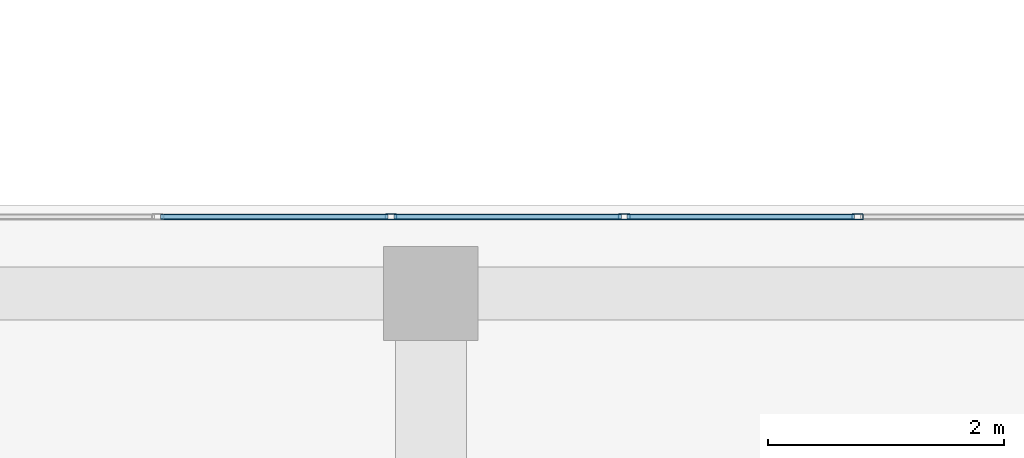
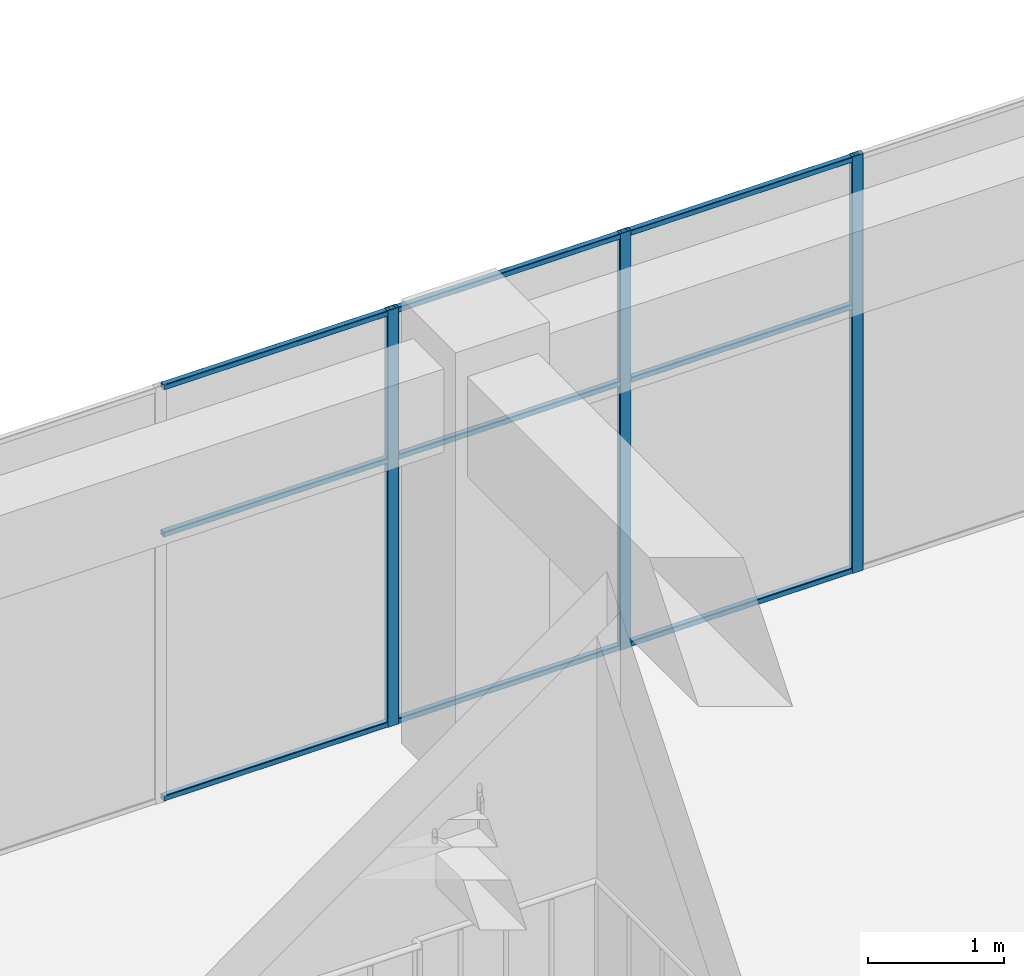
# One storey, part 36 of 66: 12 members, 1 element without a shape of its own.
"""IFC4 building model written with IfcOpenShell, lengths in metres."""

from ifc_helpers import new_model, si_unit, direction, frame, origin, origin_2d, place, context, subcontext, project, spatial, hollow_rectangle, extrude, material, layer, layer_set, material_profile, profile_set, type_object, element, aggregate, save


model = new_model("IFC4")

# Units and contexts
model_context = context("Model", 3, precision=1e-05, world=origin(), true_north=direction((0.0, 1.0)))
body_context = subcontext(model_context, "Body", "Model", "MODEL_VIEW")
ifc_project = project(units=[si_unit("LENGTHUNIT", "METRE"), si_unit("AREAUNIT", "SQUARE_METRE"), si_unit("VOLUMEUNIT", "CUBIC_METRE"), si_unit("PLANEANGLEUNIT", "RADIAN"), si_unit("MASSUNIT", "GRAM", prefix="KILO")], contexts=[model_context])

# Site, building, storey
site_placement = place(None, origin())
site = spatial("IfcSite", under=ifc_project, at=site_placement, CompositionType="ELEMENT")
building_placement = place(site_placement, origin())
building = spatial("IfcBuilding", under=site, at=building_placement, Name="Tuart Plaza Theatre", CompositionType="ELEMENT")
storey_placement = place(building_placement, frame((0.0, 0.0, 5.5)))
storey = spatial("IfcBuildingStorey", under=building, at=storey_placement, Name="L01", CompositionType="ELEMENT", Elevation=5.5)

# Curtain wall, members
ifc_material_1 = material(Name="Aluminium and glass", Category="aluminium")
ifc_layer = layer(ifc_material_1, 0.10009765625)
ifc_layer_set = layer_set([ifc_layer], Name="CURTAIN WALL 2000 module")
curtain_wall_type = type_object("IfcCurtainWallType", Name="CURTAIN WALL 2000 module", PredefinedType="NOTDEFINED", material=ifc_layer_set)
curtain_wall_placement = place(storey_placement, origin())
curtain_wall = element("IfcCurtainWall", 1, at=curtain_wall_placement, inside=storey, type_object=curtain_wall_type, Name="CW70", PredefinedType="NOTDEFINED")
ifc_material_2 = material(Name="Aluminium 6063-T5", Category="aluminium")
ifc_material_profile_1 = material_profile(ifc_material_2, hollow_rectangle(XDim=0.050048828125, YDim=0.10009765625, WallThickness=0.00390625, InnerFilletRadius=0.00390625, OuterFilletRadius=0.008056640625, at=origin_2d()), Name="RHS 100x50x4")
ifc_profile_set_1 = profile_set([ifc_material_profile_1], Name="Aluminium 6063-T5")
member_type_1 = type_object("IfcMemberType", Name="MULLION RHS 100x50x4", PredefinedType="MULLION", material=ifc_profile_set_1)
member_1_placement = place(storey_placement, frame((144.61669921875, 92.64990234375, 0.0), z_axis=(0.0, 0.0, 1.0), x_axis=(0.0, -1.0, 0.0)))
member_1 = element("IfcMember", 2, at=member_1_placement, type_object=member_type_1, Name="CW70 mullion 4", PredefinedType="MULLION", context=body_context, shape_type="SweptSolid", body=[
    extrude(hollow_rectangle(XDim=0.050048828125, YDim=0.10009765625, WallThickness=0.00390625, InnerFilletRadius=0.00390625, OuterFilletRadius=0.008056640625, at=origin_2d()), origin(), (0.0, 0.0, 1.0), 3.75),
])
member_2_placement = place(storey_placement, frame((142.638916015625, 92.64990234375, 0.0), z_axis=(0.0, 0.0, 1.0), x_axis=(0.0, -1.0, 0.0)))
member_2 = element("IfcMember", 3, at=member_2_placement, type_object=member_type_1, Name="CW70 mullion 5", PredefinedType="MULLION", context=body_context, shape_type="SweptSolid", body=[
    extrude(hollow_rectangle(XDim=0.050048828125, YDim=0.10009765625, WallThickness=0.00390625, InnerFilletRadius=0.00390625, OuterFilletRadius=0.008056640625, at=origin_2d()), origin(), (0.0, 0.0, 1.0), 3.75),
])
member_3_placement = place(storey_placement, frame((140.6611328125, 92.64990234375, 0.0), z_axis=(0.0, 0.0, 1.0), x_axis=(0.0, -1.0, 0.0)))
member_3 = element("IfcMember", 4, at=member_3_placement, type_object=member_type_1, Name="CW70 mullion 6", PredefinedType="MULLION", context=body_context, shape_type="SweptSolid", body=[
    extrude(hollow_rectangle(XDim=0.050048828125, YDim=0.10009765625, WallThickness=0.00390625, InnerFilletRadius=0.00390625, OuterFilletRadius=0.008056640625, at=origin_2d()), origin(), (0.0, 0.0, 1.0), 3.75),
])
ifc_material_3 = material(Name="Aluminium 6063-T5", Category="aluminium")
ifc_material_profile_2 = material_profile(ifc_material_3, hollow_rectangle(XDim=0.050048828125, YDim=0.050048828125, WallThickness=0.00390625, InnerFilletRadius=0.00390625, OuterFilletRadius=0.008056640625, at=origin_2d()), Name="RHS 50x50x4")
ifc_profile_set_2 = profile_set([ifc_material_profile_2], Name="Aluminium 6063-T5")
member_type_2 = type_object("IfcMemberType", Name="TRANSOM RHS 50x50x4", PredefinedType="USERDEFINED", material=ifc_profile_set_2)
member_4_placement = place(storey_placement, frame((144.591552734375, 92.64990234375, 0.02490234375), z_axis=(-1.0, 0.0, 0.0), x_axis=(0.0, -1.0, 0.0)))
member_4 = element("IfcMember", 5, at=member_4_placement, type_object=member_type_2, Name="CW70 transom 4.1", ObjectType="TRANSOM", PredefinedType="USERDEFINED", context=body_context, shape_type="SweptSolid", body=[
    extrude(hollow_rectangle(XDim=0.050048828125, YDim=0.050048828125, WallThickness=0.00390625, InnerFilletRadius=0.00390625, OuterFilletRadius=0.008056640625, at=origin_2d()), origin(), (0.0, 0.0, 1.0), 1.927734375),
])
member_5_placement = place(storey_placement, frame((144.591552734375, 92.64990234375, 2.39990234375), z_axis=(-1.0, 0.0, 0.0), x_axis=(0.0, -1.0, 0.0)))
member_5 = element("IfcMember", 6, at=member_5_placement, type_object=member_type_2, Name="CW70 transom 4.2", ObjectType="TRANSOM", PredefinedType="USERDEFINED", context=body_context, shape_type="SweptSolid", body=[
    extrude(hollow_rectangle(XDim=0.050048828125, YDim=0.050048828125, WallThickness=0.00390625, InnerFilletRadius=0.00390625, OuterFilletRadius=0.008056640625, at=origin_2d()), origin(), (0.0, 0.0, 1.0), 1.927734375),
])
member_6_placement = place(storey_placement, frame((144.591552734375, 92.64990234375, 3.72509765625), z_axis=(-1.0, 0.0, 0.0), x_axis=(0.0, -1.0, 0.0)))
member_6 = element("IfcMember", 7, at=member_6_placement, type_object=member_type_2, Name="CW70 transom 4.3", ObjectType="TRANSOM", PredefinedType="USERDEFINED", context=body_context, shape_type="SweptSolid", body=[
    extrude(hollow_rectangle(XDim=0.050048828125, YDim=0.050048828125, WallThickness=0.00390625, InnerFilletRadius=0.00390625, OuterFilletRadius=0.008056640625, at=origin_2d()), origin(), (0.0, 0.0, 1.0), 1.927734375),
])
member_7_placement = place(storey_placement, frame((142.61376953125, 92.64990234375, 0.02490234375), z_axis=(-1.0, 0.0, 0.0), x_axis=(0.0, -1.0, 0.0)))
member_7 = element("IfcMember", 8, at=member_7_placement, type_object=member_type_2, Name="CW70 transom 5.1", ObjectType="TRANSOM", PredefinedType="USERDEFINED", context=body_context, shape_type="SweptSolid", body=[
    extrude(hollow_rectangle(XDim=0.050048828125, YDim=0.050048828125, WallThickness=0.00390625, InnerFilletRadius=0.00390625, OuterFilletRadius=0.008056640625, at=origin_2d()), origin(), (0.0, 0.0, 1.0), 1.927734375),
])
member_8_placement = place(storey_placement, frame((142.61376953125, 92.64990234375, 2.39990234375), z_axis=(-1.0, 0.0, 0.0), x_axis=(0.0, -1.0, 0.0)))
member_8 = element("IfcMember", 9, at=member_8_placement, type_object=member_type_2, Name="CW70 transom 5.2", ObjectType="TRANSOM", PredefinedType="USERDEFINED", context=body_context, shape_type="SweptSolid", body=[
    extrude(hollow_rectangle(XDim=0.050048828125, YDim=0.050048828125, WallThickness=0.00390625, InnerFilletRadius=0.00390625, OuterFilletRadius=0.008056640625, at=origin_2d()), origin(), (0.0, 0.0, 1.0), 1.927734375),
])
member_9_placement = place(storey_placement, frame((142.61376953125, 92.64990234375, 3.72509765625), z_axis=(-1.0, 0.0, 0.0), x_axis=(0.0, -1.0, 0.0)))
member_9 = element("IfcMember", 10, at=member_9_placement, type_object=member_type_2, Name="CW70 transom 5.3", ObjectType="TRANSOM", PredefinedType="USERDEFINED", context=body_context, shape_type="SweptSolid", body=[
    extrude(hollow_rectangle(XDim=0.050048828125, YDim=0.050048828125, WallThickness=0.00390625, InnerFilletRadius=0.00390625, OuterFilletRadius=0.008056640625, at=origin_2d()), origin(), (0.0, 0.0, 1.0), 1.927734375),
])
member_10_placement = place(storey_placement, frame((140.63623046875, 92.64990234375, 0.02490234375), z_axis=(-1.0, 0.0, 0.0), x_axis=(0.0, -1.0, 0.0)))
member_10 = element("IfcMember", 11, at=member_10_placement, type_object=member_type_2, Name="CW70 transom 6.1", ObjectType="TRANSOM", PredefinedType="USERDEFINED", context=body_context, shape_type="SweptSolid", body=[
    extrude(hollow_rectangle(XDim=0.050048828125, YDim=0.050048828125, WallThickness=0.00390625, InnerFilletRadius=0.00390625, OuterFilletRadius=0.008056640625, at=origin_2d()), origin(), (0.0, 0.0, 1.0), 1.927978515625),
])
member_11_placement = place(storey_placement, frame((140.63623046875, 92.64990234375, 2.39990234375), z_axis=(-1.0, 0.0, 0.0), x_axis=(0.0, -1.0, 0.0)))
member_11 = element("IfcMember", 12, at=member_11_placement, type_object=member_type_2, Name="CW70 transom 6.2", ObjectType="TRANSOM", PredefinedType="USERDEFINED", context=body_context, shape_type="SweptSolid", body=[
    extrude(hollow_rectangle(XDim=0.050048828125, YDim=0.050048828125, WallThickness=0.00390625, InnerFilletRadius=0.00390625, OuterFilletRadius=0.008056640625, at=origin_2d()), origin(), (0.0, 0.0, 1.0), 1.927978515625),
])
member_12_placement = place(storey_placement, frame((140.63623046875, 92.64990234375, 3.72509765625), z_axis=(-1.0, 0.0, 0.0), x_axis=(0.0, -1.0, 0.0)))
member_12 = element("IfcMember", 13, at=member_12_placement, type_object=member_type_2, Name="CW70 transom 6.3", ObjectType="TRANSOM", PredefinedType="USERDEFINED", context=body_context, shape_type="SweptSolid", body=[
    extrude(hollow_rectangle(XDim=0.050048828125, YDim=0.050048828125, WallThickness=0.00390625, InnerFilletRadius=0.00390625, OuterFilletRadius=0.008056640625, at=origin_2d()), origin(), (0.0, 0.0, 1.0), 1.927978515625),
])
aggregate(curtain_wall, [member_1, member_2, member_3, member_4, member_5, member_6, member_7, member_8, member_9, member_10, member_11, member_12])

save(model, "model.ifc")
